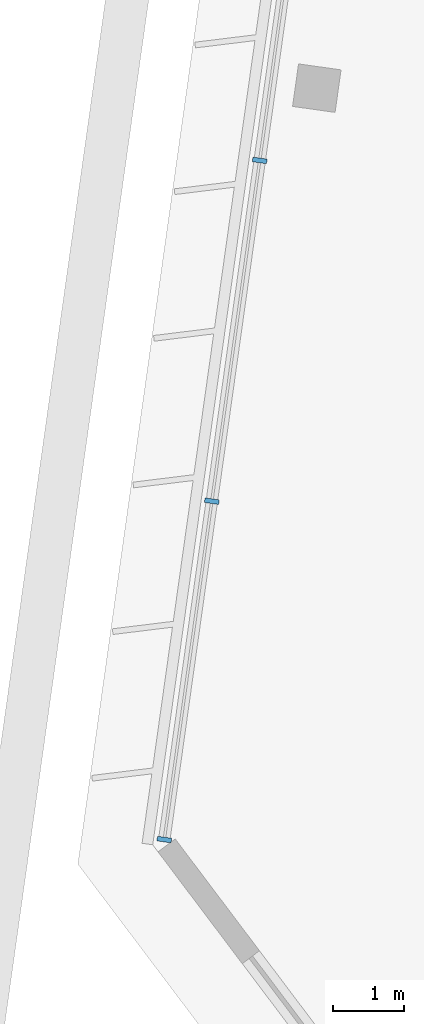
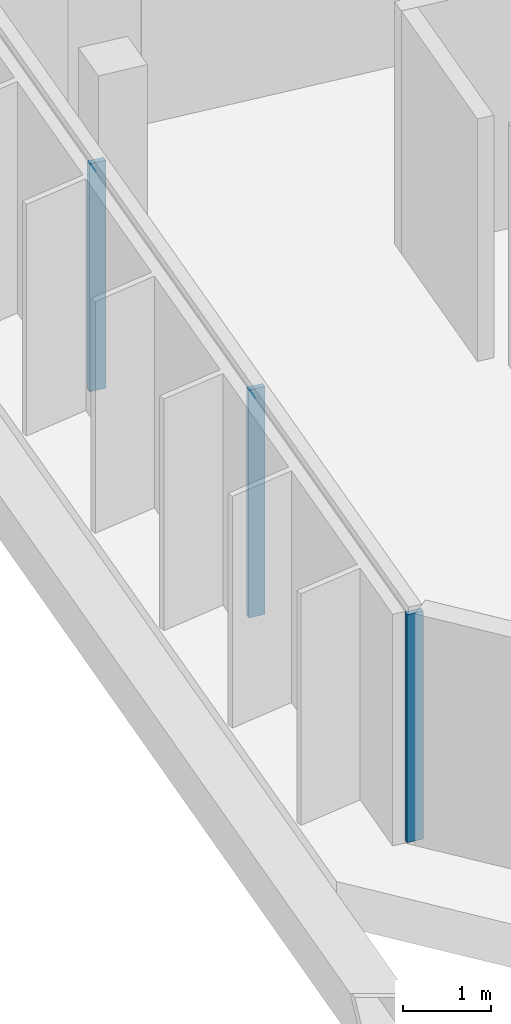
# One storey, part 2 of 38: 3 members, 1 element without a shape of its own.
"""IFC4 building model written with IfcOpenShell, lengths in metres."""

from ifc_helpers import new_model, si_unit, direction, frame, origin, origin_2d, place, context, subcontext, project, spatial, rectangle, extrude, material, material_profile, profile_set, type_object, element, aggregate, save


model = new_model("IFC4")

# Units and contexts
model_context = context("Model", 3, precision=1e-05, world=origin(), true_north=direction((0.0, 1.0)))
body_context = subcontext(model_context, "Body", "Model", "MODEL_VIEW")
ifc_project = project(units=[si_unit("LENGTHUNIT", "METRE"), si_unit("AREAUNIT", "SQUARE_METRE"), si_unit("VOLUMEUNIT", "CUBIC_METRE"), si_unit("PLANEANGLEUNIT", "RADIAN"), si_unit("MASSUNIT", "GRAM", prefix="KILO")], contexts=[model_context])

# Site, building, storey
site_placement = place(None, origin())
site = spatial("IfcSite", under=ifc_project, at=site_placement, CompositionType="ELEMENT")
building_placement = place(site_placement, origin())
building = spatial("IfcBuilding", under=site, at=building_placement, Name="Mirante Cascada Hotel Towers", CompositionType="ELEMENT")
storey_placement = place(building_placement, frame((0.0, 0.0, 184.0)))
storey = spatial("IfcBuildingStorey", under=building, at=storey_placement, Name="L43", CompositionType="ELEMENT", Elevation=184.0)

# Curtain wall, members
ifc_material_1 = material(Name="Aluminium mullion and transom frame with clear laminated glass", Category="aluminium")
curtain_wall_type = type_object("IfcCurtainWallType", Name="End ribbon curtain wall ECW2", PredefinedType="NOTDEFINED", material=ifc_material_1)
curtain_wall_placement = place(storey_placement, origin())
curtain_wall = element("IfcCurtainWall", 1, at=curtain_wall_placement, inside=storey, type_object=curtain_wall_type, Name="Outer end wall T1 L43", PredefinedType="NOTDEFINED")
ifc_material_2 = material(Name="Anodised aluminium extrusion", Category="aluminium")
ifc_material_profile = material_profile(ifc_material_2, rectangle(XDim=0.2, YDim=0.065, at=origin_2d()), Name="ECW2 MULLION 65x200")
ifc_profile_set = profile_set([ifc_material_profile], Name="Anodised aluminium extrusion")
member_type = type_object("IfcMemberType", Name="ECW2 mullion 65x200", PredefinedType="MULLION", material=ifc_profile_set)
member_1_placement = place(storey_placement, frame((-85.3308, -8.7707, 0.1), z_axis=(0.0, 0.0, 1.0), x_axis=(-0.9902681, 0.1391731, 0.0)))
member_1 = element("IfcMember", 2, at=member_1_placement, type_object=member_type, Name="ECW2 mullion 1", PredefinedType="MULLION", context=body_context, shape_type="SweptSolid", body=[
    extrude(rectangle(XDim=0.2, YDim=0.065, at=origin_2d()), origin(), (0.0, 0.0, 1.0), 3.15),
])
member_2_placement = place(storey_placement, frame((-84.6655, -4.0371, 0.1), z_axis=(0.0, 0.0, 1.0), x_axis=(-0.9902681, 0.1391731, 0.0)))
member_2 = element("IfcMember", 3, at=member_2_placement, type_object=member_type, Name="ECW2 mullion 2", PredefinedType="MULLION", context=body_context, shape_type="SweptSolid", body=[
    extrude(rectangle(XDim=0.2, YDim=0.065, at=origin_2d()), origin(), (0.0, 0.0, 1.0), 3.15),
])
member_3_placement = place(storey_placement, frame((-83.9957, 0.7287, 0.1), z_axis=(0.0, 0.0, 1.0), x_axis=(-0.9902681, 0.1391731, 0.0)))
member_3 = element("IfcMember", 4, at=member_3_placement, type_object=member_type, Name="ECW2 mullion 3", PredefinedType="MULLION", context=body_context, shape_type="SweptSolid", body=[
    extrude(rectangle(XDim=0.2, YDim=0.065, at=origin_2d()), origin(), (0.0, 0.0, 1.0), 3.15),
])
aggregate(curtain_wall, [member_1, member_2, member_3])

save(model, "model.ifc")
